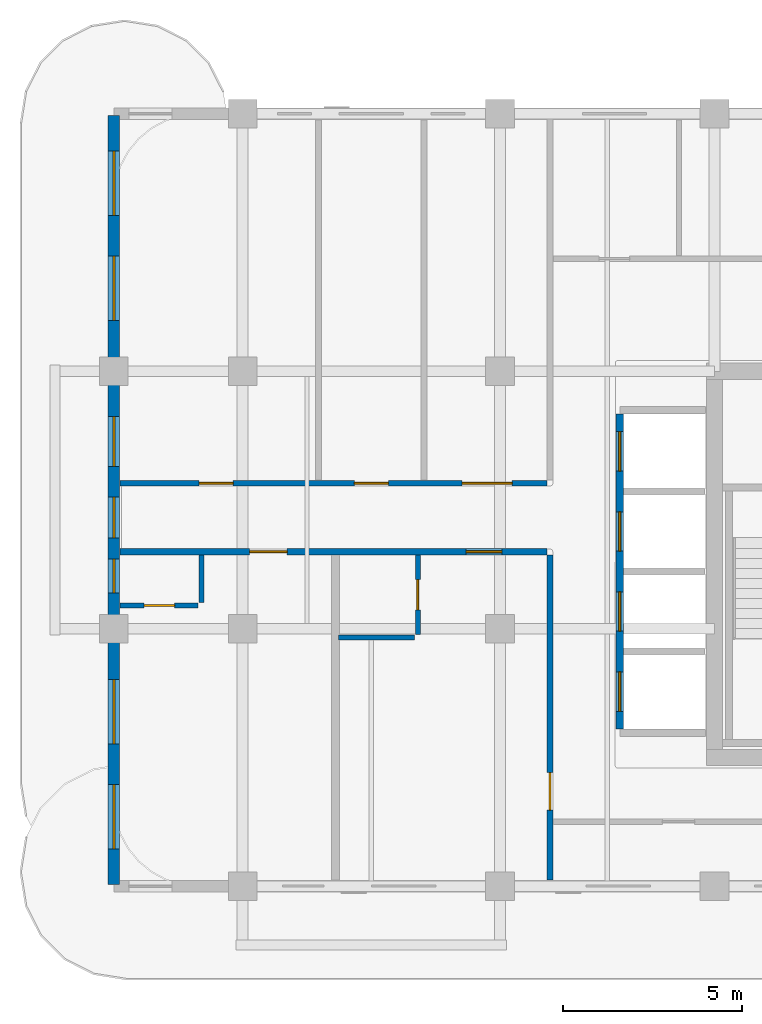
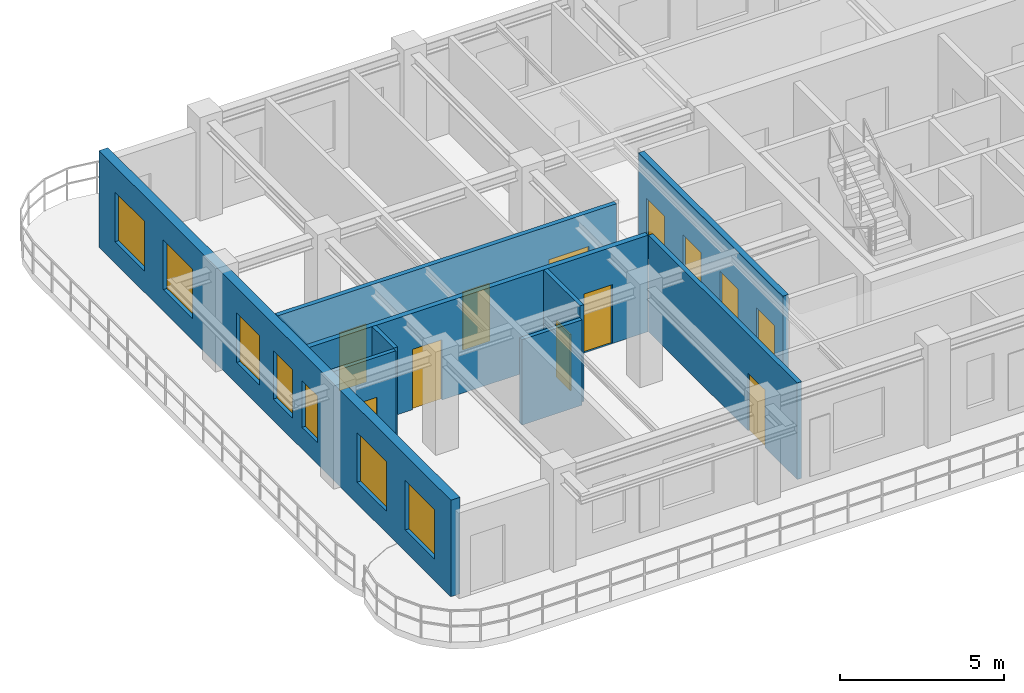
# One storey, part 2 of 7: 12 doors, 9 walls, 7 windows, 19 openings.
"""IFC4 building model written with IfcOpenShell, lengths in metres."""

from ifc_helpers import new_model, si_unit, derived_unit, direction, frame, frame_2d, origin, place, context, subcontext, project, spatial, rectangle, extrude, source, transform, mapped, material, layer, layer_set, type_object, type_shapes, element, fill, save


model = new_model("IFC4")

# Units and contexts
model_context = context("Model", 3, precision=1e-05, world=origin(), true_north=direction((0.0, 1.0)))
body_context = subcontext(model_context, "Body", "Model", "MODEL_VIEW")
ifc_project = project(units=[si_unit("LENGTHUNIT", "METRE"), si_unit("AREAUNIT", "SQUARE_METRE"), si_unit("VOLUMEUNIT", "CUBIC_METRE"), si_unit("PLANEANGLEUNIT", "RADIAN"), si_unit("MASSUNIT", "GRAM", prefix="KILO"), si_unit("THERMODYNAMICTEMPERATUREUNIT", "KELVIN"), si_unit("POWERUNIT", "WATT"), derived_unit("THERMALTRANSMITTANCEUNIT", [(si_unit("POWERUNIT", "WATT"), 1), (si_unit("AREAUNIT", "SQUARE_METRE"), -1), (si_unit("THERMODYNAMICTEMPERATUREUNIT", "KELVIN"), -1)])], contexts=[model_context])

# Site, building, storey
site_placement = place(None, origin())
site = spatial("IfcSite", under=ifc_project, at=site_placement, CompositionType="ELEMENT")
building_placement = place(site_placement, origin())
building = spatial("IfcBuilding", under=site, at=building_placement, Name="Zahravan Archway Hotel and Residences", CompositionType="ELEMENT")
storey_placement = place(building_placement, frame((0.0, 0.0, 271.199951171875)))
storey = spatial("IfcBuildingStorey", under=building, at=storey_placement, Name="L68", CompositionType="ELEMENT", Elevation=271.199951171875)

# Wall, openings, windows
ifc_material_1 = material(Name="Agra Buff Sandstone & Insulated Backup", Category="masonry")
ifc_layer_1 = layer(ifc_material_1, 0.320068359375, Name="Agra Buff Sandstone & Insulated Backup", Category="masonry")
ifc_layer_set_1 = layer_set([ifc_layer_1], Name="Agra Buff Sandstone & Insulated Backup")
wall_type_1 = type_object("IfcWallType", Name="EW-SAND-320", PredefinedType="SOLIDWALL", material=ifc_layer_set_1)
wall_1_placement = place(storey_placement, frame((18.0, 0.050048828125, 0.0), z_axis=(0.0, 0.0, 1.0), x_axis=(0.0, 1.0, 0.0)))
wall_1 = element("IfcWall", 1, at=wall_1_placement, inside=storey, type_object=wall_type_1, Name="L68 Exterior Sandstone Wall WA-W", PredefinedType="SOLIDWALL", context=body_context, shape_type="SweptSolid", body=[
    extrude(rectangle(XDim=21.5, YDim=0.320068359375, at=frame_2d((10.75, 0.0))), origin(), (0.0, 0.0, 1.0), 3.60009765625),
])
opening_1_placement = place(wall_1_placement, frame((0.989990234375, 0.0, 0.800048828125)))
opening_1 = element("IfcOpeningElement", 2, at=opening_1_placement, cuts=wall_1, Name="Opening W-02", PredefinedType="OPENING", context=body_context, shape_type="SweptSolid", body=[
    extrude(rectangle(XDim=1.800048828125, YDim=1.85009765625, at=frame_2d((0.89990234375, 0.925048828125))), frame((0.0, 0.169921875, 0.0), z_axis=(0.0, -1.0, 0.0), x_axis=(1.0, 0.0, 0.0)), (0.0, 0.0, 1.0), 0.340087890625),
])
opening_2_placement = place(wall_1_placement, frame((3.929931640625, 0.0, 0.800048828125)))
opening_2 = element("IfcOpeningElement", 3, at=opening_2_placement, cuts=wall_1, Name="Opening W-02", PredefinedType="OPENING", context=body_context, shape_type="SweptSolid", body=[
    extrude(rectangle(XDim=1.800048828125, YDim=1.85009765625, at=frame_2d((0.89990234375, 0.925048828125))), frame((0.0, 0.169921875, 0.0), z_axis=(0.0, -1.0, 0.0), x_axis=(1.0, 0.0, 0.0)), (0.0, 0.0, 1.0), 0.340087890625),
])
opening_3_placement = place(wall_1_placement, frame((8.14599609375, 0.0, 0.800048828125)))
opening_3 = element("IfcOpeningElement", 4, at=opening_3_placement, cuts=wall_1, Name="Opening W-04", PredefinedType="OPENING", context=body_context, shape_type="SweptSolid", body=[
    extrude(rectangle(XDim=0.949951171875, YDim=1.75, at=frame_2d((0.47509765625, 0.875))), frame((0.0, 0.169921875, 0.0), z_axis=(0.0, -1.0, 0.0), x_axis=(1.0, 0.0, 0.0)), (0.0, 0.0, 1.0), 0.340087890625),
])
opening_4_placement = place(wall_1_placement, frame((9.68505859375, 0.0, 0.800048828125)))
opening_4 = element("IfcOpeningElement", 5, at=opening_4_placement, cuts=wall_1, Name="Opening W-05", PredefinedType="OPENING", context=body_context, shape_type="SweptSolid", body=[
    extrude(rectangle(XDim=1.14990234375, YDim=1.800048828125, at=frame_2d((0.574951171875, 0.89990234375))), frame((0.0, 0.169921875, 0.0), z_axis=(0.0, -1.0, 0.0), x_axis=(1.0, 0.0, 0.0)), (0.0, 0.0, 1.0), 0.340087890625),
])
opening_5_placement = place(wall_1_placement, frame((11.68896484375, 0.0, 0.800048828125)))
opening_5 = element("IfcOpeningElement", 6, at=opening_5_placement, cuts=wall_1, Name="Opening W-03", PredefinedType="OPENING", context=body_context, shape_type="SweptSolid", body=[
    extrude(rectangle(XDim=1.39990234375, YDim=1.85009765625, at=frame_2d((0.699951171875, 0.925048828125))), frame((0.0, 0.169921875, 0.0), z_axis=(0.0, -1.0, 0.0), x_axis=(1.0, 0.0, 0.0)), (0.0, 0.0, 1.0), 0.340087890625),
])
opening_6_placement = place(wall_1_placement, frame((15.77001953125, 0.0, 0.800048828125)))
opening_6 = element("IfcOpeningElement", 7, at=opening_6_placement, cuts=wall_1, Name="Opening W-02", PredefinedType="OPENING", context=body_context, shape_type="SweptSolid", body=[
    extrude(rectangle(XDim=1.800048828125, YDim=1.85009765625, at=frame_2d((0.89990234375, 0.925048828125))), frame((0.0, 0.169921875, 0.0), z_axis=(0.0, -1.0, 0.0), x_axis=(1.0, 0.0, 0.0)), (0.0, 0.0, 1.0), 0.340087890625),
])
opening_7_placement = place(wall_1_placement, frame((18.7099609375, 0.0, 0.800048828125)))
opening_7 = element("IfcOpeningElement", 8, at=opening_7_placement, cuts=wall_1, Name="Opening W-02", PredefinedType="OPENING", context=body_context, shape_type="SweptSolid", body=[
    extrude(rectangle(XDim=1.800048828125, YDim=1.85009765625, at=frame_2d((0.89990234375, 0.925048828125))), frame((0.0, 0.169921875, 0.0), z_axis=(0.0, -1.0, 0.0), x_axis=(1.0, 0.0, 0.0)), (0.0, 0.0, 1.0), 0.340087890625),
])
ifc_material_2 = material(Name="Bronze-Anodized Thermal-Break Aluminium & Low-E Glass", Category="aluminium")
window_type_1 = type_object("IfcWindowType", Name="WIN-TWR-1400", PartitioningType="SINGLE_PANEL", PredefinedType="WINDOW", material=ifc_material_2)
shared_shape_1 = source(origin(), body_context, "Body", "SweptSolid", [
    extrude(rectangle(XDim=1.39990234375, YDim=1.85009765625, at=frame_2d((0.699951171875, 0.925048828125))), frame((0.0, 0.030029296875, 0.0), z_axis=(0.0, -1.0, 0.0), x_axis=(1.0, 0.0, 0.0)), (0.0, 0.0, 1.0), 0.06005859375),
])
type_shapes(window_type_1, [shared_shape_1])
window_1_placement = place(opening_5_placement, origin())
window_1 = element("IfcWindow", 9, at=window_1_placement, inside=storey, type_object=window_type_1, Name="L68 Loggia Window 21", OverallHeight=1.85009765625, OverallWidth=1.39990234375, PartitioningType="SINGLE_PANEL", PredefinedType="WINDOW", context=body_context, shape_type="MappedRepresentation", body=[
    mapped(shared_shape_1, transform((0.0, 0.0, 0.0), scale=1.0)),
])
fill(opening_5, window_1)
window_type_2 = type_object("IfcWindowType", Name="WIN-NAR-950", PartitioningType="SINGLE_PANEL", PredefinedType="WINDOW", material=ifc_material_2)
shared_shape_2 = source(origin(), body_context, "Body", "SweptSolid", [
    extrude(rectangle(XDim=0.949951171875, YDim=1.75, at=frame_2d((0.47509765625, 0.875))), frame((0.0, 0.030029296875, 0.0), z_axis=(0.0, -1.0, 0.0), x_axis=(1.0, 0.0, 0.0)), (0.0, 0.0, 1.0), 0.06005859375),
])
type_shapes(window_type_2, [shared_shape_2])
window_2_placement = place(opening_3_placement, origin())
window_2 = element("IfcWindow", 10, at=window_2_placement, inside=storey, type_object=window_type_2, Name="L68 Loggia Window 19", OverallHeight=1.75, OverallWidth=0.949951171875, PartitioningType="SINGLE_PANEL", PredefinedType="WINDOW", context=body_context, shape_type="MappedRepresentation", body=[
    mapped(shared_shape_2, transform((0.0, 0.0, 0.0), scale=1.0)),
])
fill(opening_3, window_2)
window_type_3 = type_object("IfcWindowType", Name="WIN-TWR-1800", PartitioningType="DOUBLE_PANEL_VERTICAL", PredefinedType="WINDOW", material=ifc_material_2)
shared_shape_3 = source(origin(), body_context, "Body", "SweptSolid", [
    extrude(rectangle(XDim=1.800048828125, YDim=1.85009765625, at=frame_2d((0.89990234375, 0.925048828125))), frame((0.0, 0.030029296875, 0.0), z_axis=(0.0, -1.0, 0.0), x_axis=(1.0, 0.0, 0.0)), (0.0, 0.0, 1.0), 0.06005859375),
])
type_shapes(window_type_3, [shared_shape_3])
window_3_placement = place(opening_1_placement, origin())
window_3 = element("IfcWindow", 11, at=window_3_placement, inside=storey, type_object=window_type_3, Name="L68 Loggia Window 17", OverallHeight=1.85009765625, OverallWidth=1.800048828125, PartitioningType="DOUBLE_PANEL_VERTICAL", PredefinedType="WINDOW", context=body_context, shape_type="MappedRepresentation", body=[
    mapped(shared_shape_3, transform((0.0, 0.0, 0.0), scale=1.0)),
])
fill(opening_1, window_3)
window_4_placement = place(opening_2_placement, origin())
window_4 = element("IfcWindow", 12, at=window_4_placement, inside=storey, type_object=window_type_3, Name="L68 Loggia Window 18", OverallHeight=1.85009765625, OverallWidth=1.800048828125, PartitioningType="DOUBLE_PANEL_VERTICAL", PredefinedType="WINDOW", context=body_context, shape_type="MappedRepresentation", body=[
    mapped(shared_shape_3, transform((0.0, 0.0, 0.0), scale=1.0)),
])
fill(opening_2, window_4)
window_5_placement = place(opening_6_placement, origin())
window_5 = element("IfcWindow", 13, at=window_5_placement, inside=storey, type_object=window_type_3, Name="L68 Loggia Window 22", OverallHeight=1.85009765625, OverallWidth=1.800048828125, PartitioningType="DOUBLE_PANEL_VERTICAL", PredefinedType="WINDOW", context=body_context, shape_type="MappedRepresentation", body=[
    mapped(shared_shape_3, transform((0.0, 0.0, 0.0), scale=1.0)),
])
fill(opening_6, window_5)
window_6_placement = place(opening_7_placement, origin())
window_6 = element("IfcWindow", 14, at=window_6_placement, inside=storey, type_object=window_type_3, Name="L68 Loggia Window 23", OverallHeight=1.85009765625, OverallWidth=1.800048828125, PartitioningType="DOUBLE_PANEL_VERTICAL", PredefinedType="WINDOW", context=body_context, shape_type="MappedRepresentation", body=[
    mapped(shared_shape_3, transform((0.0, 0.0, 0.0), scale=1.0)),
])
fill(opening_7, window_6)
window_type_4 = type_object("IfcWindowType", Name="WIN-TWR-1150", PartitioningType="SINGLE_PANEL", PredefinedType="WINDOW", material=ifc_material_2)
shared_shape_4 = source(origin(), body_context, "Body", "SweptSolid", [
    extrude(rectangle(XDim=1.14990234375, YDim=1.800048828125, at=frame_2d((0.574951171875, 0.89990234375))), frame((0.0, 0.030029296875, 0.0), z_axis=(0.0, -1.0, 0.0), x_axis=(1.0, 0.0, 0.0)), (0.0, 0.0, 1.0), 0.06005859375),
])
type_shapes(window_type_4, [shared_shape_4])
window_7_placement = place(opening_4_placement, origin())
window_7 = element("IfcWindow", 15, at=window_7_placement, inside=storey, type_object=window_type_4, Name="L68 Loggia Window 20", OverallHeight=1.800048828125, OverallWidth=1.14990234375, PartitioningType="SINGLE_PANEL", PredefinedType="WINDOW", context=body_context, shape_type="MappedRepresentation", body=[
    mapped(shared_shape_4, transform((0.0, 0.0, 0.0), scale=1.0)),
])
fill(opening_4, window_7)

# Wall, openings, doors
ifc_material_3 = material(Name="Fire-Rated Gypsum & Concrete Block", Category="concrete")
ifc_layer_2 = layer(ifc_material_3, 0.159912109375, Name="Fire-Rated Gypsum & Concrete Block", Category="concrete")
ifc_layer_set_2 = layer_set([ifc_layer_2], Name="Fire-Rated Gypsum & Concrete Block")
wall_type_2 = type_object("IfcWallType", Name="PW-CORR-160", PredefinedType="PARTITIONING", material=ifc_layer_set_2)
wall_2_placement = place(storey_placement, frame((18.16796875, 11.27001953125, 0.0), z_axis=(0.0, 0.0, 1.0), x_axis=(1.0, 0.0, 0.0)))
wall_2 = element("IfcWall", 16, at=wall_2_placement, inside=storey, type_object=wall_type_2, Name="L68 Partition WA-CN", PredefinedType="PARTITIONING", context=body_context, shape_type="SweptSolid", body=[
    extrude(rectangle(XDim=11.942138671875, YDim=0.159912109375, at=frame_2d((5.97119140625, 0.0))), origin(), (0.0, 0.0, 1.0), 3.60009765625),
])
opening_8_placement = place(wall_2_placement, frame((2.217041015625, 0.0, 0.0)))
opening_8 = element("IfcOpeningElement", 17, at=opening_8_placement, cuts=wall_2, Name="Opening D-I1", PredefinedType="OPENING", context=body_context, shape_type="SweptSolid", body=[
    extrude(rectangle(XDim=0.949951171875, YDim=2.14990234375, at=frame_2d((0.47509765625, 1.074951171875))), frame((0.0, 0.08984375, 0.0), z_axis=(0.0, -1.0, 0.0), x_axis=(1.0, 0.0, 0.0)), (0.0, 0.0, 1.0), 0.179931640625),
])
opening_9_placement = place(wall_2_placement, frame((6.556884765625, 0.0, 0.0)))
opening_9 = element("IfcOpeningElement", 18, at=opening_9_placement, cuts=wall_2, Name="Opening D-I1", PredefinedType="OPENING", context=body_context, shape_type="SweptSolid", body=[
    extrude(rectangle(XDim=0.949951171875, YDim=2.14990234375, at=frame_2d((0.47509765625, 1.074951171875))), frame((0.0, 0.08984375, 0.0), z_axis=(0.0, -1.0, 0.0), x_axis=(1.0, 0.0, 0.0)), (0.0, 0.0, 1.0), 0.179931640625),
])
opening_10_placement = place(wall_2_placement, frame((9.572021484375, 0.0, 0.0)))
opening_10 = element("IfcOpeningElement", 19, at=opening_10_placement, cuts=wall_2, Name="Opening D-P1", PredefinedType="OPENING", context=body_context, shape_type="SweptSolid", body=[
    extrude(rectangle(XDim=1.39990234375, YDim=2.35009765625, at=frame_2d((0.699951171875, 1.175048828125))), frame((0.0, 0.08984375, 0.0), z_axis=(0.0, -1.0, 0.0), x_axis=(1.0, 0.0, 0.0)), (0.0, 0.0, 1.0), 0.179931640625),
])
ifc_material_4 = material(Name="Bronze-Anodized Glazed Aluminium", Category="aluminium")
door_type_1 = type_object("IfcDoorType", Name="ID-PUBLIC-1400", OperationType="DOUBLE_DOOR_SINGLE_SWING", PredefinedType="DOOR", material=ifc_material_4)
shared_shape_5 = source(origin(), body_context, "Body", "SweptSolid", [
    extrude(rectangle(XDim=1.39990234375, YDim=2.35009765625, at=frame_2d((0.699951171875, 1.175048828125))), frame((0.0, 0.02490234375, 0.0), z_axis=(0.0, -1.0, 0.0), x_axis=(1.0, 0.0, 0.0)), (0.0, 0.0, 1.0), 0.050048828125),
])
type_shapes(door_type_1, [shared_shape_5])
door_1_placement = place(opening_10_placement, origin())
door_1 = element("IfcDoor", 20, at=door_1_placement, inside=storey, type_object=door_type_1, Name="L68 North Dining Door", OperationType="DOUBLE_DOOR_SINGLE_SWING", OverallHeight=2.35009765625, OverallWidth=1.39990234375, PredefinedType="DOOR", context=body_context, shape_type="MappedRepresentation", body=[
    mapped(shared_shape_5, transform((0.0, 0.0, 0.0), scale=1.0)),
])
fill(opening_10, door_1)
ifc_material_5 = material(Name="Hardwood Veneer Timber", Category="wood")
door_type_2 = type_object("IfcDoorType", Name="ID-INT-950", OperationType="NOTDEFINED", PredefinedType="DOOR", material=ifc_material_5)
shared_shape_6 = source(origin(), body_context, "Body", "SweptSolid", [
    extrude(rectangle(XDim=0.949951171875, YDim=2.14990234375, at=frame_2d((0.47509765625, 1.074951171875))), frame((0.0, 0.02490234375, 0.0), z_axis=(0.0, -1.0, 0.0), x_axis=(1.0, 0.0, 0.0)), (0.0, 0.0, 1.0), 0.050048828125),
])
type_shapes(door_type_2, [shared_shape_6])
door_2_placement = place(opening_8_placement, origin())
door_2 = element("IfcDoor", 21, at=door_2_placement, inside=storey, type_object=door_type_2, Name="L68 North Study Door", OperationType="SINGLE_SWING_RIGHT", OverallHeight=2.14990234375, OverallWidth=0.949951171875, PredefinedType="DOOR", context=body_context, shape_type="MappedRepresentation", body=[
    mapped(shared_shape_6, transform((0.0, 0.0, 0.0), scale=1.0)),
])
fill(opening_8, door_2)
door_3_placement = place(opening_9_placement, origin())
door_3 = element("IfcDoor", 22, at=door_3_placement, inside=storey, type_object=door_type_2, Name="L68 North Clinic Door", OperationType="SINGLE_SWING_LEFT", OverallHeight=2.14990234375, OverallWidth=0.949951171875, PredefinedType="DOOR", context=body_context, shape_type="MappedRepresentation", body=[
    mapped(shared_shape_6, transform((0.0, 0.0, 0.0), scale=1.0)),
])
fill(opening_9, door_3)

# Wall, opening, door
wall_3_placement = place(storey_placement, frame((30.199951171875, 0.16796875, 0.0), z_axis=(0.0, 0.0, 1.0), x_axis=(0.0, 1.0, 0.0)))
wall_3 = element("IfcWall", 23, at=wall_3_placement, inside=storey, type_object=wall_type_2, Name="L68 Partition WA-SRW", PredefinedType="PARTITIONING", context=body_context, shape_type="SweptSolid", body=[
    extrude(rectangle(XDim=9.092041015625, YDim=0.159912109375, at=frame_2d((4.5458984375, 0.0))), origin(), (0.0, 0.0, 1.0), 3.60009765625),
])
opening_11_placement = place(wall_3_placement, frame((1.95703125, 0.0, 0.0)))
opening_11 = element("IfcOpeningElement", 24, at=opening_11_placement, cuts=wall_3, Name="Opening FD-L2", PredefinedType="OPENING", context=body_context, shape_type="SweptSolid", body=[
    extrude(rectangle(XDim=1.050048828125, YDim=2.14990234375, at=frame_2d((0.52490234375, 1.074951171875))), frame((0.0, 0.08984375, 0.0), z_axis=(0.0, -1.0, 0.0), x_axis=(1.0, 0.0, 0.0)), (0.0, 0.0, 1.0), 0.179931640625),
])
ifc_material_6 = material(Name="Fire-Rated Painted Steel", Category="steel")
door_type_3 = type_object("IfcDoorType", Name="FD-LOBBY-1100", OperationType="NOTDEFINED", PredefinedType="DOOR", material=ifc_material_6)
shared_shape_7 = source(origin(), body_context, "Body", "SweptSolid", [
    extrude(rectangle(XDim=1.050048828125, YDim=2.14990234375, at=frame_2d((0.52490234375, 1.074951171875))), frame((0.0, 0.02490234375, 0.0), z_axis=(0.0, -1.0, 0.0), x_axis=(1.0, 0.0, 0.0)), (0.0, 0.0, 1.0), 0.050048828125),
])
type_shapes(door_type_3, [shared_shape_7])
door_4_placement = place(opening_11_placement, origin())
door_4 = element("IfcDoor", 25, at=door_4_placement, inside=storey, type_object=door_type_3, Name="L68 South Riser Corridor Door", OperationType="SINGLE_SWING_LEFT", OverallHeight=2.14990234375, OverallWidth=1.050048828125, PredefinedType="DOOR", context=body_context, shape_type="MappedRepresentation", body=[
    mapped(shared_shape_7, transform((0.0, 0.0, 0.0), scale=1.0)),
])
fill(opening_11, door_4)

# Wall, openings, doors
ifc_layer_3 = layer(ifc_material_3, 0.179931640625, Name="Fire-Rated Gypsum & Concrete Block", Category="concrete")
ifc_layer_set_3 = layer_set([ifc_layer_3], Name="Fire-Rated Gypsum & Concrete Block")
wall_type_3 = type_object("IfcWallType", Name="PW-CORR-180", PredefinedType="PARTITIONING", material=ifc_layer_set_3)
wall_4_placement = place(storey_placement, frame((18.16796875, 9.35009765625, 0.0), z_axis=(0.0, 0.0, 1.0), x_axis=(1.0, 0.0, 0.0)))
wall_4 = element("IfcWall", 26, at=wall_4_placement, inside=storey, type_object=wall_type_3, Name="L68 Partition WA-CS", PredefinedType="PARTITIONING", context=body_context, shape_type="SweptSolid", body=[
    extrude(rectangle(XDim=11.942138671875, YDim=0.179931640625, at=frame_2d((5.97119140625, 0.0))), origin(), (0.0, 0.0, 1.0), 3.60009765625),
])
opening_12_placement = place(wall_4_placement, frame((3.632080078125, 0.0, 0.0)))
opening_12 = element("IfcOpeningElement", 27, at=opening_12_placement, cuts=wall_4, Name="Opening D-U1", PredefinedType="OPENING", context=body_context, shape_type="SweptSolid", body=[
    extrude(rectangle(XDim=1.050048828125, YDim=2.25, at=frame_2d((0.52490234375, 1.125))), frame((0.0, 0.10009765625, 0.0), z_axis=(0.0, -1.0, 0.0), x_axis=(1.0, 0.0, 0.0)), (0.0, 0.0, 1.0), 0.199951171875),
])
opening_13_placement = place(wall_4_placement, frame((9.681884765625, 0.0, 0.0)))
opening_13 = element("IfcOpeningElement", 28, at=opening_13_placement, cuts=wall_4, Name="Opening D-U2", PredefinedType="OPENING", context=body_context, shape_type="SweptSolid", body=[
    extrude(rectangle(XDim=1.0, YDim=2.199951171875, at=frame_2d((0.5, 1.10009765625))), frame((0.0, 0.10009765625, 0.0), z_axis=(0.0, -1.0, 0.0), x_axis=(1.0, 0.0, 0.0)), (0.0, 0.0, 1.0), 0.199951171875),
])
door_type_4 = type_object("IfcDoorType", Name="ID-UNIT-1050", OperationType="NOTDEFINED", PredefinedType="DOOR", material=ifc_material_5)
shared_shape_8 = source(origin(), body_context, "Body", "SweptSolid", [
    extrude(rectangle(XDim=1.050048828125, YDim=2.25, at=frame_2d((0.52490234375, 1.125))), frame((0.0, 0.02490234375, 0.0), z_axis=(0.0, -1.0, 0.0), x_axis=(1.0, 0.0, 0.0)), (0.0, 0.0, 1.0), 0.050048828125),
])
type_shapes(door_type_4, [shared_shape_8])
door_5_placement = place(opening_12_placement, origin())
door_5 = element("IfcDoor", 29, at=door_5_placement, inside=storey, type_object=door_type_4, Name="L68 Hotel Guestroom 92 Entrance Door", OperationType="SINGLE_SWING_LEFT", OverallHeight=2.25, OverallWidth=1.050048828125, PredefinedType="DOOR", context=body_context, shape_type="MappedRepresentation", body=[
    mapped(shared_shape_8, transform((0.0, 0.0, 0.0), scale=1.0)),
])
fill(opening_12, door_5)
door_type_5 = type_object("IfcDoorType", Name="ID-UNIT-1000", OperationType="NOTDEFINED", PredefinedType="DOOR", material=ifc_material_5)
shared_shape_9 = source(origin(), body_context, "Body", "SweptSolid", [
    extrude(rectangle(XDim=1.0, YDim=2.199951171875, at=frame_2d((0.5, 1.10009765625))), frame((0.0, 0.02490234375, 0.0), z_axis=(0.0, -1.0, 0.0), x_axis=(1.0, 0.0, 0.0)), (0.0, 0.0, 1.0), 0.050048828125),
])
type_shapes(door_type_5, [shared_shape_9])
door_6_placement = place(opening_13_placement, origin())
door_6 = element("IfcDoor", 30, at=door_6_placement, inside=storey, type_object=door_type_5, Name="L68 Hotel Guestroom 93 Entrance Door", OperationType="SINGLE_SWING_LEFT", OverallHeight=2.199951171875, OverallWidth=1.0, PredefinedType="DOOR", context=body_context, shape_type="MappedRepresentation", body=[
    mapped(shared_shape_9, transform((0.0, 0.0, 0.0), scale=1.0)),
])
fill(opening_13, door_6)

ifc_layer_4 = layer(ifc_material_3, 0.199951171875, Name="Fire-Rated Gypsum & Concrete Block", Category="concrete")
ifc_layer_set_4 = layer_set([ifc_layer_4], Name="Fire-Rated Gypsum & Concrete Block")
wall_type_4 = type_object("IfcWallType", Name="PW-SHAFT-200", PredefinedType="PARTITIONING", material=ifc_layer_set_4)
wall_5_placement = place(storey_placement, frame((32.14990234375, 4.389892578125, 0.0), z_axis=(0.0, 0.0, 1.0), x_axis=(0.0, 1.0, 0.0)))
wall_5 = element("IfcWall", 31, at=wall_5_placement, inside=storey, type_object=wall_type_4, Name="L68 Partition B3-W", PredefinedType="PARTITIONING", context=body_context, shape_type="SweptSolid", body=[
    extrude(rectangle(XDim=8.820068359375, YDim=0.199951171875, at=frame_2d((4.41015625, 0.0))), origin(), (0.0, 0.0, 1.0), 3.60009765625),
])
opening_14_placement = place(wall_5_placement, frame((0.5, 0.0, 0.0)))
opening_14 = element("IfcOpeningElement", 32, at=opening_14_placement, cuts=wall_5, Name="Opening LD", PredefinedType="OPENING", context=body_context, shape_type="SweptSolid", body=[
    extrude(rectangle(XDim=1.10009765625, YDim=2.199951171875, at=frame_2d((0.550048828125, 1.10009765625))), frame((0.0, 0.10986328125, 0.0), z_axis=(0.0, -1.0, 0.0), x_axis=(1.0, 0.0, 0.0)), (0.0, 0.0, 1.0), 0.219970703125),
])
opening_15_placement = place(wall_5_placement, frame((2.739990234375, 0.0, 0.0)))
opening_15 = element("IfcOpeningElement", 33, at=opening_15_placement, cuts=wall_5, Name="Opening LD", PredefinedType="OPENING", context=body_context, shape_type="SweptSolid", body=[
    extrude(rectangle(XDim=1.10009765625, YDim=2.199951171875, at=frame_2d((0.550048828125, 1.10009765625))), frame((0.0, 0.10986328125, 0.0), z_axis=(0.0, -1.0, 0.0), x_axis=(1.0, 0.0, 0.0)), (0.0, 0.0, 1.0), 0.219970703125),
])
opening_16_placement = place(wall_5_placement, frame((4.97998046875, 0.0, 0.0)))
opening_16 = element("IfcOpeningElement", 34, at=opening_16_placement, cuts=wall_5, Name="Opening LD", PredefinedType="OPENING", context=body_context, shape_type="SweptSolid", body=[
    extrude(rectangle(XDim=1.10009765625, YDim=2.199951171875, at=frame_2d((0.550048828125, 1.10009765625))), frame((0.0, 0.10986328125, 0.0), z_axis=(0.0, -1.0, 0.0), x_axis=(1.0, 0.0, 0.0)), (0.0, 0.0, 1.0), 0.219970703125),
])
opening_17_placement = place(wall_5_placement, frame((7.219970703125, 0.0, 0.0)))
opening_17 = element("IfcOpeningElement", 35, at=opening_17_placement, cuts=wall_5, Name="Opening LD", PredefinedType="OPENING", context=body_context, shape_type="SweptSolid", body=[
    extrude(rectangle(XDim=1.10009765625, YDim=2.199951171875, at=frame_2d((0.550048828125, 1.10009765625))), frame((0.0, 0.10986328125, 0.0), z_axis=(0.0, -1.0, 0.0), x_axis=(1.0, 0.0, 0.0)), (0.0, 0.0, 1.0), 0.219970703125),
])
ifc_material_7 = material(Name="Brushed Stainless Steel", Category="steel")
door_type_6 = type_object("IfcDoorType", Name="DR-LIFT-LD", OperationType="SLIDING_TO_LEFT", PredefinedType="DOOR", material=ifc_material_7)
shared_shape_10 = source(origin(), body_context, "Body", "SweptSolid", [
    extrude(rectangle(XDim=1.10009765625, YDim=2.199951171875, at=frame_2d((0.550048828125, 1.10009765625))), frame((0.0, 0.02490234375, 0.0), z_axis=(0.0, -1.0, 0.0), x_axis=(1.0, 0.0, 0.0)), (0.0, 0.0, 1.0), 0.050048828125),
])
type_shapes(door_type_6, [shared_shape_10])
door_7_placement = place(opening_14_placement, origin())
door_7 = element("IfcDoor", 36, at=door_7_placement, inside=storey, type_object=door_type_6, Name="L68 Lift LP-7 Sliding Landing Door", OperationType="SLIDING_TO_LEFT", OverallHeight=2.199951171875, OverallWidth=1.10009765625, PredefinedType="DOOR", context=body_context, shape_type="MappedRepresentation", body=[
    mapped(shared_shape_10, transform((0.0, 0.0, 0.0), scale=1.0)),
])
fill(opening_14, door_7)
door_8_placement = place(opening_15_placement, origin())
door_8 = element("IfcDoor", 37, at=door_8_placement, inside=storey, type_object=door_type_6, Name="L68 Lift LP-8 Sliding Landing Door", OperationType="SLIDING_TO_LEFT", OverallHeight=2.199951171875, OverallWidth=1.10009765625, PredefinedType="DOOR", context=body_context, shape_type="MappedRepresentation", body=[
    mapped(shared_shape_10, transform((0.0, 0.0, 0.0), scale=1.0)),
])
fill(opening_15, door_8)
door_9_placement = place(opening_16_placement, origin())
door_9 = element("IfcDoor", 38, at=door_9_placement, inside=storey, type_object=door_type_6, Name="L68 Lift LP-9 Sliding Landing Door", OperationType="SLIDING_TO_LEFT", OverallHeight=2.199951171875, OverallWidth=1.10009765625, PredefinedType="DOOR", context=body_context, shape_type="MappedRepresentation", body=[
    mapped(shared_shape_10, transform((0.0, 0.0, 0.0), scale=1.0)),
])
fill(opening_16, door_9)
door_10_placement = place(opening_17_placement, origin())
door_10 = element("IfcDoor", 39, at=door_10_placement, inside=storey, type_object=door_type_6, Name="L68 Lift LP-10 Sliding Landing Door", OperationType="SLIDING_TO_LEFT", OverallHeight=2.199951171875, OverallWidth=1.10009765625, PredefinedType="DOOR", context=body_context, shape_type="MappedRepresentation", body=[
    mapped(shared_shape_10, transform((0.0, 0.0, 0.0), scale=1.0)),
])
fill(opening_17, door_10)

# Wall
ifc_material_8 = material(Name="Moisture-Resistant Blockwork", Category="masonry")
ifc_layer_5 = layer(ifc_material_8, 0.139892578125, Name="Moisture-Resistant Blockwork", Category="masonry")
ifc_layer_set_5 = layer_set([ifc_layer_5], Name="Moisture-Resistant Blockwork")
wall_type_5 = type_object("IfcWallType", Name="PW-WET-140", PredefinedType="PARTITIONING", material=ifc_layer_set_5)
wall_6_placement = place(storey_placement, frame((20.449951171875, 7.93994140625, 0.0), z_axis=(0.0, 0.0, 1.0), x_axis=(0.0, 1.0, 0.0)))
element("IfcWall", 40, at=wall_6_placement, inside=storey, type_object=wall_type_5, Name="L68 Partition HKB-V92", PredefinedType="PARTITIONING", context=body_context, shape_type="SweptSolid", body=[
    extrude(rectangle(XDim=1.320068359375, YDim=0.139892578125, at=frame_2d((0.66015625, 0.0))), origin(), (0.0, 0.0, 1.0), 3.60009765625),
])

# Wall, opening, door
wall_7_placement = place(storey_placement, frame((18.16796875, 7.85009765625, 0.0), z_axis=(0.0, 0.0, 1.0), x_axis=(1.0, 0.0, 0.0)))
wall_7 = element("IfcWall", 41, at=wall_7_placement, inside=storey, type_object=wall_type_5, Name="L68 Partition HKB-H92", PredefinedType="PARTITIONING", context=body_context, shape_type="SweptSolid", body=[
    extrude(rectangle(XDim=2.192138671875, YDim=0.139892578125, at=frame_2d((1.09619140625, 0.0))), origin(), (0.0, 0.0, 1.0), 3.60009765625),
])
opening_18_placement = place(wall_7_placement, frame((0.681884765625, 0.0, 0.0)))
opening_18 = element("IfcOpeningElement", 42, at=opening_18_placement, cuts=wall_7, Name="Opening D-B1", PredefinedType="OPENING", context=body_context, shape_type="SweptSolid", body=[
    extrude(rectangle(XDim=0.85009765625, YDim=2.10009765625, at=frame_2d((0.425048828125, 1.050048828125))), frame((0.0, 0.080078125, 0.0), z_axis=(0.0, -1.0, 0.0), x_axis=(1.0, 0.0, 0.0)), (0.0, 0.0, 1.0), 0.159912109375),
])
door_type_7 = type_object("IfcDoorType", Name="ID-BATH-850", OperationType="NOTDEFINED", PredefinedType="DOOR", material=ifc_material_5)
shared_shape_11 = source(origin(), body_context, "Body", "SweptSolid", [
    extrude(rectangle(XDim=0.85009765625, YDim=2.10009765625, at=frame_2d((0.425048828125, 1.050048828125))), frame((0.0, 0.02490234375, 0.0), z_axis=(0.0, -1.0, 0.0), x_axis=(1.0, 0.0, 0.0)), (0.0, 0.0, 1.0), 0.050048828125),
])
type_shapes(door_type_7, [shared_shape_11])
door_11_placement = place(opening_18_placement, origin())
door_11 = element("IfcDoor", 43, at=door_11_placement, inside=storey, type_object=door_type_7, Name="L68 Guestroom 92 En-Suite Door", OperationType="SINGLE_SWING_RIGHT", OverallHeight=2.10009765625, OverallWidth=0.85009765625, PredefinedType="DOOR", context=body_context, shape_type="MappedRepresentation", body=[
    mapped(shared_shape_11, transform((0.0, 0.0, 0.0), scale=1.0)),
])
fill(opening_18, door_11)

wall_8_placement = place(storey_placement, frame((26.5, 7.0400390625, 0.0), z_axis=(0.0, 0.0, 1.0), x_axis=(0.0, 1.0, 0.0)))
wall_8 = element("IfcWall", 44, at=wall_8_placement, inside=storey, type_object=wall_type_5, Name="L68 Partition HKB-V93", PredefinedType="PARTITIONING", context=body_context, shape_type="SweptSolid", body=[
    extrude(rectangle(XDim=2.219970703125, YDim=0.139892578125, at=frame_2d((1.10986328125, 0.0))), origin(), (0.0, 0.0, 1.0), 3.60009765625),
])
opening_19_placement = place(wall_8_placement, frame((0.68505859375, 0.0, 0.0)))
opening_19 = element("IfcOpeningElement", 45, at=opening_19_placement, cuts=wall_8, Name="Opening D-B1", PredefinedType="OPENING", context=body_context, shape_type="SweptSolid", body=[
    extrude(rectangle(XDim=0.85009765625, YDim=2.10009765625, at=frame_2d((0.425048828125, 1.050048828125))), frame((0.0, 0.080078125, 0.0), z_axis=(0.0, -1.0, 0.0), x_axis=(1.0, 0.0, 0.0)), (0.0, 0.0, 1.0), 0.159912109375),
])
door_12_placement = place(opening_19_placement, origin())
door_12 = element("IfcDoor", 46, at=door_12_placement, inside=storey, type_object=door_type_7, Name="L68 Guestroom 93 En-Suite Door", OperationType="SINGLE_SWING_RIGHT", OverallHeight=2.10009765625, OverallWidth=0.85009765625, PredefinedType="DOOR", context=body_context, shape_type="MappedRepresentation", body=[
    mapped(shared_shape_11, transform((0.0, 0.0, 0.0), scale=1.0)),
])
fill(opening_19, door_12)

# Wall
wall_9_placement = place(storey_placement, frame((24.2900390625, 6.949951171875, 0.0), z_axis=(0.0, 0.0, 1.0), x_axis=(1.0, 0.0, 0.0)))
element("IfcWall", 47, at=wall_9_placement, inside=storey, type_object=wall_type_5, Name="L68 Partition HKB-H93", PredefinedType="PARTITIONING", context=body_context, shape_type="SweptSolid", body=[
    extrude(rectangle(XDim=2.119873046875, YDim=0.139892578125, at=frame_2d((1.06005859375, 0.0))), origin(), (0.0, 0.0, 1.0), 3.18505859375),
])

save(model, "model.ifc")
